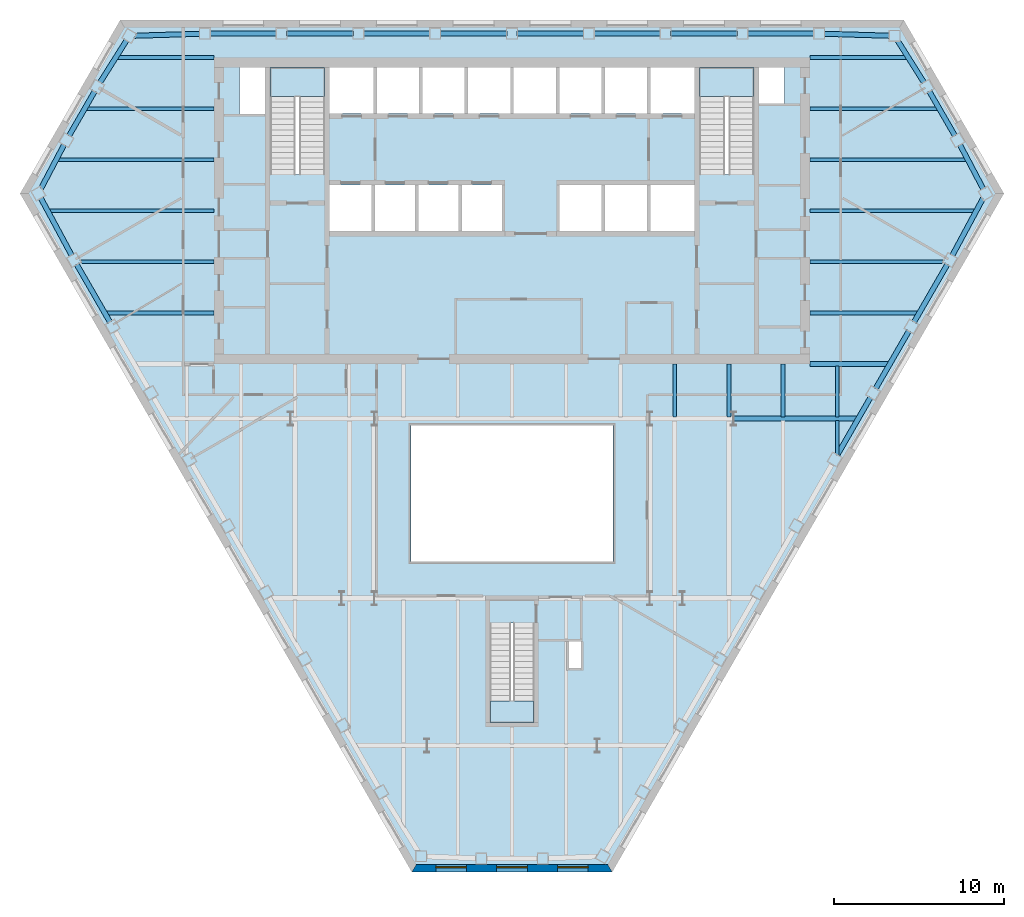
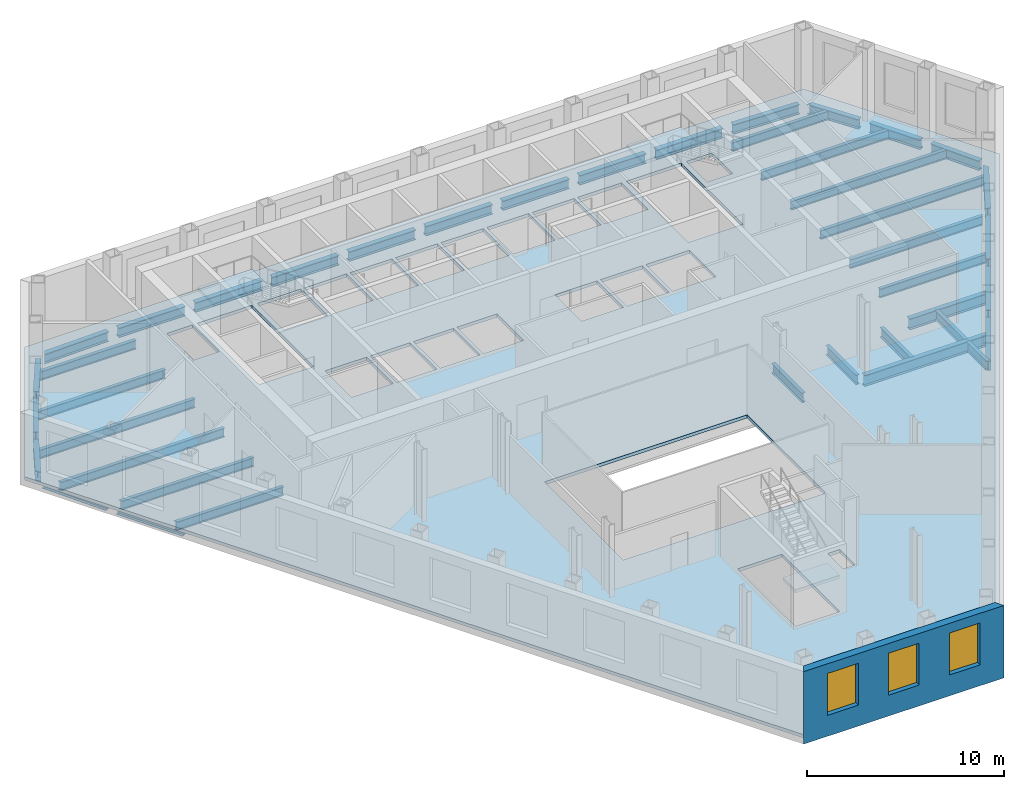
# One storey, part 3 of 11: 41 beams, 4 slabs, 3 windows, 1 wall, 3 openings, 3 elements without a shape of their own.
"""IFC4 building model written with IfcOpenShell, lengths in metres."""

from ifc_helpers import new_model, si_unit, direction, frame, frame_2d, origin, origin_2d, place, context, subcontext, project, spatial, polyline, rectangle, i_section, outline, extrude, clip, halfspace, material, layer, layer_set, material_profile, profile_set, type_object, element, fill, aggregate, save


model = new_model("IFC4")

# Units and contexts
model_context = context("Model", 3, precision=1e-05, world=origin(), true_north=direction((0.0, 1.0)))
body_context = subcontext(model_context, "Body", "Model", "MODEL_VIEW")
ifc_project = project(units=[si_unit("LENGTHUNIT", "METRE"), si_unit("AREAUNIT", "SQUARE_METRE"), si_unit("VOLUMEUNIT", "CUBIC_METRE"), si_unit("PLANEANGLEUNIT", "RADIAN"), si_unit("MASSUNIT", "GRAM", prefix="KILO")], contexts=[model_context])

# Site, building, storey
site_placement = place(None, origin())
site = spatial("IfcSite", under=ifc_project, at=site_placement, CompositionType="ELEMENT")
building_placement = place(site_placement, origin())
building = spatial("IfcBuilding", under=site, at=building_placement, Name="Njiva Tower", CompositionType="ELEMENT")
storey_placement = place(building_placement, frame((0.0, 0.0, 37.8)))
storey = spatial("IfcBuildingStorey", under=building, at=storey_placement, Name="L07", CompositionType="ELEMENT", Elevation=37.8)

# Beams
ifc_material_1 = material(Name="Steel S355 J2", Category="steel")
ifc_material_profile_1 = material_profile(ifc_material_1, i_section(OverallWidth=0.21, OverallDepth=0.55, WebThickness=0.0111, FlangeThickness=0.0172, at=origin_2d()), Name="IPE 550")
ifc_profile_set_1 = profile_set([ifc_material_profile_1], Name="Steel S355 J2")
beam_type_1 = type_object("IfcBeamType", Name="B10 Floor beam to the core IPE 550", PredefinedType="BEAM", material=ifc_profile_set_1)
beam_1_placement = place(storey_placement, frame((-23.876, 3.0, -0.475), z_axis=(1.0, 0.0, 0.0), x_axis=(0.0, 1.0, 0.0)))
element("IfcBeam", 1, at=beam_1_placement, inside=storey, type_object=beam_type_1, Name="Floor beam to the core S02-B006", PredefinedType="BEAM", context=body_context, shape_type="Clipping", body=[
    clip(extrude(i_section(OverallWidth=0.21, OverallDepth=0.55, WebThickness=0.0111, FlangeThickness=0.0172, at=origin_2d()), origin(), (0.0, 0.0, 1.0), 6.376), halfspace(frame((-0.025, 0.0, 0.0951), z_axis=(-0.499998009787, 0.0, -0.866026552831), x_axis=(0.0, -1.0, 0.0)), False)),
])
beam_2_placement = place(storey_placement, frame((17.5, 3.0, -0.475), z_axis=(1.0, 0.0, 0.0), x_axis=(0.0, 1.0, 0.0)))
element("IfcBeam", 2, at=beam_2_placement, inside=storey, type_object=beam_type_1, Name="Floor beam to the core S02-B008", PredefinedType="BEAM", context=body_context, shape_type="Clipping", body=[
    clip(extrude(i_section(OverallWidth=0.21, OverallDepth=0.55, WebThickness=0.0111, FlangeThickness=0.0172, at=origin_2d()), origin(), (0.0, 0.0, 1.0), 6.376), halfspace(frame((-0.025, 0.0, 6.2809), z_axis=(-0.499998009787, 0.0, 0.866026552831), x_axis=(0.0, 1.0, 0.0)), False)),
])
beam_3_placement = place(storey_placement, frame((-25.378, 6.0, -0.475), z_axis=(1.0, 0.0, 0.0), x_axis=(0.0, 1.0, 0.0)))
element("IfcBeam", 3, at=beam_3_placement, inside=storey, type_object=beam_type_1, Name="Floor beam to the core S02-B004", PredefinedType="BEAM", context=body_context, shape_type="Clipping", body=[
    clip(extrude(i_section(OverallWidth=0.21, OverallDepth=0.55, WebThickness=0.0111, FlangeThickness=0.0172, at=origin_2d()), origin(), (0.0, 0.0, 1.0), 7.878), halfspace(frame((-0.025, 0.0, 0.0959), z_axis=(-0.499998009787, 0.0, -0.866026552831), x_axis=(0.0, -1.0, 0.0)), False)),
])
beam_4_placement = place(storey_placement, frame((17.5, 6.0, -0.475), z_axis=(1.0, 0.0, 0.0), x_axis=(0.0, 1.0, 0.0)))
element("IfcBeam", 4, at=beam_4_placement, inside=storey, type_object=beam_type_1, Name="Floor beam to the core S02-B009", PredefinedType="BEAM", context=body_context, shape_type="Clipping", body=[
    clip(extrude(i_section(OverallWidth=0.21, OverallDepth=0.55, WebThickness=0.0111, FlangeThickness=0.0172, at=origin_2d()), origin(), (0.0, 0.0, 1.0), 7.878), halfspace(frame((-0.025, 0.0, 7.7821), z_axis=(-0.499998009787, 0.0, 0.866026552831), x_axis=(0.0, 1.0, 0.0)), False)),
])
beam_5_placement = place(storey_placement, frame((-26.721, 12.0, -0.475), z_axis=(1.0, 0.0, 0.0), x_axis=(0.0, 1.0, 0.0)))
element("IfcBeam", 5, at=beam_5_placement, inside=storey, type_object=beam_type_1, Name="Floor beam to the core S02-B002", PredefinedType="BEAM", context=body_context, shape_type="Clipping", body=[
    clip(extrude(i_section(OverallWidth=0.21, OverallDepth=0.55, WebThickness=0.0111, FlangeThickness=0.0172, at=origin_2d()), origin(), (0.0, 0.0, 1.0), 9.221), halfspace(frame((0.0234, 0.0, 0.0871), z_axis=(0.467062323174, 0.0, -0.884224398143), x_axis=(0.0, -1.0, 0.0)), False)),
])
beam_6_placement = place(storey_placement, frame((17.5, 12.0, -0.475), z_axis=(1.0, 0.0, 0.0), x_axis=(0.0, 1.0, 0.0)))
element("IfcBeam", 6, at=beam_6_placement, inside=storey, type_object=beam_type_1, Name="Floor beam to the core S02-B012", PredefinedType="BEAM", context=body_context, shape_type="Clipping", body=[
    clip(extrude(i_section(OverallWidth=0.21, OverallDepth=0.55, WebThickness=0.0111, FlangeThickness=0.0172, at=origin_2d()), origin(), (0.0, 0.0, 1.0), 9.221), halfspace(frame((0.0234, 0.0, 9.1339), z_axis=(0.467062323174, 0.0, 0.884224398143), x_axis=(0.0, 1.0, 0.0)), False)),
])
beam_7_placement = place(storey_placement, frame((-25.049, 15.0, -0.475), z_axis=(1.0, 0.0, 0.0), x_axis=(0.0, 1.0, 0.0)))
element("IfcBeam", 7, at=beam_7_placement, inside=storey, type_object=beam_type_1, Name="Floor beam to the core S02-B005", PredefinedType="BEAM", context=body_context, shape_type="Clipping", body=[
    clip(extrude(i_section(OverallWidth=0.21, OverallDepth=0.55, WebThickness=0.0111, FlangeThickness=0.0172, at=origin_2d()), origin(), (0.0, 0.0, 1.0), 7.549), halfspace(frame((0.025, 0.0, 0.0954), z_axis=(0.499998009787, 0.0, -0.866026552831), x_axis=(0.0, -1.0, 0.0)), False)),
])
beam_8_placement = place(storey_placement, frame((17.5, 15.0, -0.475), z_axis=(1.0, 0.0, 0.0), x_axis=(0.0, 1.0, 0.0)))
element("IfcBeam", 8, at=beam_8_placement, inside=storey, type_object=beam_type_1, Name="Floor beam to the core S02-B013", PredefinedType="BEAM", context=body_context, shape_type="Clipping", body=[
    clip(extrude(i_section(OverallWidth=0.21, OverallDepth=0.55, WebThickness=0.0111, FlangeThickness=0.0172, at=origin_2d()), origin(), (0.0, 0.0, 1.0), 7.549), halfspace(frame((0.025, 0.0, 7.4536), z_axis=(0.499998009787, 0.0, 0.866026552831), x_axis=(0.0, 1.0, 0.0)), False)),
])
beam_9_placement = place(storey_placement, frame((-23.231, 18.0, -0.475), z_axis=(1.0, 0.0, 0.0), x_axis=(0.0, 1.0, 0.0)))
element("IfcBeam", 9, at=beam_9_placement, inside=storey, type_object=beam_type_1, Name="Floor beam to the core S02-B007", PredefinedType="BEAM", context=body_context, shape_type="Clipping", body=[
    clip(extrude(i_section(OverallWidth=0.21, OverallDepth=0.55, WebThickness=0.0111, FlangeThickness=0.0172, at=origin_2d()), origin(), (0.0, 0.0, 1.0), 5.731), halfspace(frame((0.0266, 0.0, 0.1031), z_axis=(0.53222991141, 0.0, -0.846599859083), x_axis=(0.0, -1.0, 0.0)), False)),
])
beam_10_placement = place(storey_placement, frame((17.5, 18.0, -0.475), z_axis=(1.0, 0.0, 0.0), x_axis=(0.0, 1.0, 0.0)))
element("IfcBeam", 10, at=beam_10_placement, inside=storey, type_object=beam_type_1, Name="Floor beam to the core S02-B014", PredefinedType="BEAM", context=body_context, shape_type="Clipping", body=[
    clip(extrude(i_section(OverallWidth=0.21, OverallDepth=0.55, WebThickness=0.0111, FlangeThickness=0.0172, at=origin_2d()), origin(), (0.0, 0.0, 1.0), 5.731), halfspace(frame((0.0266, 0.0, 5.6279), z_axis=(0.53222991141, 0.0, 0.846599859083), x_axis=(0.0, 1.0, 0.0)), False)),
])
ifc_material_profile_2 = material_profile(ifc_material_1, i_section(OverallWidth=0.21, OverallDepth=0.55, WebThickness=0.0111, FlangeThickness=0.0172, at=origin_2d()), Name="IPE 550")
ifc_profile_set_2 = profile_set([ifc_material_profile_2], Name="Steel S355 J2")
beam_type_2 = type_object("IfcBeamType", Name="B11 Long-span floor beam to the core IPE 550", PredefinedType="BEAM", material=ifc_profile_set_2)
beam_11_placement = place(storey_placement, frame((-27.224, 9.0, -0.475), z_axis=(1.0, 0.0, 0.0), x_axis=(0.0, 1.0, 0.0)))
element("IfcBeam", 11, at=beam_11_placement, inside=storey, type_object=beam_type_2, Name="Long-span floor beam to the core S02-B001", PredefinedType="BEAM", context=body_context, shape_type="Clipping", body=[
    clip(extrude(i_section(OverallWidth=0.21, OverallDepth=0.55, WebThickness=0.0111, FlangeThickness=0.0172, at=origin_2d()), origin(), (0.0, 0.0, 1.0), 9.724), halfspace(frame((-0.0237, 0.0, 0.0891), z_axis=(-0.473777178452, 0.0, -0.88064475538), x_axis=(0.0, -1.0, 0.0)), False)),
])
beam_12_placement = place(storey_placement, frame((17.5, 9.0, -0.475), z_axis=(1.0, 0.0, 0.0), x_axis=(0.0, 1.0, 0.0)))
element("IfcBeam", 12, at=beam_12_placement, inside=storey, type_object=beam_type_2, Name="Long-span floor beam to the core S02-B011", PredefinedType="BEAM", context=body_context, shape_type="Clipping", body=[
    clip(extrude(i_section(OverallWidth=0.21, OverallDepth=0.55, WebThickness=0.0111, FlangeThickness=0.0172, at=origin_2d()), origin(), (0.0, 0.0, 1.0), 9.724), halfspace(frame((-0.0237, 0.0, 9.6349), z_axis=(-0.473777178452, 0.0, 0.88064475538), x_axis=(0.0, 1.0, 0.0)), False)),
])
ifc_material_profile_3 = material_profile(ifc_material_1, i_section(OverallWidth=0.22, OverallDepth=0.6, WebThickness=0.012, FlangeThickness=0.019, at=origin_2d()), Name="IPE 600")
ifc_profile_set_3 = profile_set([ifc_material_profile_3], Name="Steel S355 J2")
beam_type_3 = type_object("IfcBeamType", Name="B14 Short-span floor joist IPE 600", PredefinedType="JOIST", material=ifc_profile_set_3)
for number, where, z_axis, x_axis, name in (
    (13, (9.55, -0.005, -0.5), (0.0, -1.0, 0.0), (1.0, 0.0, 0.0), "Short-span floor joist S02-B090"),
    (14, (12.733, -0.005, -0.5), (0.0, -1.0, 0.0), (1.0, 0.0, 0.0), "Short-span floor joist S02-B093"),
    (15, (15.917, -0.005, -0.5), (0.0, -1.0, 0.0), (1.0, 0.0, 0.0), "Short-span floor joist S02-B095"),
):
    element("IfcBeam", number, at=place(storey_placement, frame(where, z_axis=z_axis, x_axis=x_axis)), inside=storey, type_object=beam_type_3, Name=name, PredefinedType="JOIST", context=body_context, shape_type="SweptSolid", body=[
        extrude(i_section(OverallWidth=0.22, OverallDepth=0.6, WebThickness=0.012, FlangeThickness=0.019, at=origin_2d()), origin(), (0.0, 0.0, 1.0), 3.095),
    ])
beam_13_placement = place(storey_placement, frame((19.1, -0.1, -0.5), z_axis=(0.0, -1.0, 0.0), x_axis=(1.0, 0.0, 0.0)))
element("IfcBeam", 16, at=beam_13_placement, inside=storey, type_object=beam_type_3, Name="Short-span floor joist S02-B098", PredefinedType="JOIST", context=body_context, shape_type="SweptSolid", body=[
    extrude(i_section(OverallWidth=0.22, OverallDepth=0.6, WebThickness=0.012, FlangeThickness=0.019, at=origin_2d()), origin(), (0.0, 0.0, 1.0), 3.0),
])
beam_14_placement = place(storey_placement, frame((19.1, -3.3, -0.5), z_axis=(0.0, -1.0, 0.0), x_axis=(1.0, 0.0, 0.0)))
element("IfcBeam", 17, at=beam_14_placement, inside=storey, type_object=beam_type_3, Name="Short-span floor joist S02-B096", PredefinedType="JOIST", context=body_context, shape_type="Clipping", body=[
    clip(extrude(i_section(OverallWidth=0.22, OverallDepth=0.6, WebThickness=0.012, FlangeThickness=0.019, at=origin_2d()), origin(), (0.0, 0.0, 1.0), 2.131), halfspace(frame((-0.025, 0.0, 2.0322), z_axis=(-0.499998009787, 0.0, 0.866026552831), x_axis=(0.0, 1.0, 0.0)), False)),
])
ifc_material_profile_4 = material_profile(ifc_material_1, i_section(OverallWidth=0.3, OverallDepth=0.69, WebThickness=0.0145, FlangeThickness=0.027, at=origin_2d()), Name="HEA 700")
ifc_profile_set_4 = profile_set([ifc_material_profile_4], Name="Steel S355 J2")
beam_type_4 = type_object("IfcBeamType", Name="B15 Floor girder HEA 700", PredefinedType="BEAM", material=ifc_profile_set_4)
beam_15_placement = place(storey_placement, frame((13.0, -3.2, -0.545), z_axis=(1.0, 0.0, 0.0), x_axis=(0.0, 1.0, 0.0)))
element("IfcBeam", 18, at=beam_15_placement, inside=storey, type_object=beam_type_4, Name="Floor girder S02-B028", PredefinedType="BEAM", context=body_context, shape_type="Clipping", body=[
    clip(extrude(i_section(OverallWidth=0.3, OverallDepth=0.69, WebThickness=0.0145, FlangeThickness=0.027, at=origin_2d()), origin(), (0.0, 0.0, 1.0), 7.323), halfspace(frame((-0.025, 0.0, 7.2013), z_axis=(-0.499998009787, 0.0, 0.866026552831), x_axis=(0.0, 1.0, 0.0)), False)),
])
beam_16_placement = place(storey_placement, frame((17.5, 0.0, -0.545), z_axis=(1.0, 0.0, 0.0), x_axis=(0.0, 1.0, 0.0)))
element("IfcBeam", 19, at=beam_16_placement, inside=storey, type_object=beam_type_4, Name="Floor girder S02-B029", PredefinedType="BEAM", context=body_context, shape_type="Clipping", body=[
    clip(extrude(i_section(OverallWidth=0.3, OverallDepth=0.69, WebThickness=0.0145, FlangeThickness=0.027, at=origin_2d()), origin(), (0.0, 0.0, 1.0), 4.67), halfspace(frame((-0.025, 0.0, 4.5489), z_axis=(-0.499998009787, 0.0, 0.866026552831), x_axis=(0.0, 1.0, 0.0)), False)),
])
ifc_material_profile_5 = material_profile(ifc_material_1, i_section(OverallWidth=0.3, OverallDepth=0.6, WebThickness=0.0155, FlangeThickness=0.03, at=origin_2d()), Name="HEB 600")
ifc_profile_set_5 = profile_set([ifc_material_profile_5], Name="Steel S355 J2")
beam_type_5 = type_object("IfcBeamType", Name="B3 Short-span spandrel beam HEB 600", PredefinedType="SPANDREL", material=ifc_profile_set_5)
beam_17_placement = place(storey_placement, frame((22.162, 19.276, -0.5), z_axis=(-0.999548107162, 0.030059631884, 0.0), x_axis=(-0.030059631884, -0.999548107162, 0.0)))
element("IfcBeam", 20, at=beam_17_placement, inside=storey, type_object=beam_type_5, Name="Short-span spandrel beam S02-B164", PredefinedType="SPANDREL", context=body_context, shape_type="SweptSolid", body=[
    extrude(i_section(OverallWidth=0.3, OverallDepth=0.6, WebThickness=0.0155, FlangeThickness=0.03, at=origin_2d()), origin(), (0.0, 0.0, 1.0), 3.8257),
])
beam_18_placement = place(storey_placement, frame((17.734, 19.4, -0.5), z_axis=(-1.0, 0.0, 0.0), x_axis=(0.0, -1.0, 0.0)))
element("IfcBeam", 21, at=beam_18_placement, inside=storey, type_object=beam_type_5, Name="Short-span spandrel beam S02-B158", PredefinedType="SPANDREL", context=body_context, shape_type="SweptSolid", body=[
    extrude(i_section(OverallWidth=0.3, OverallDepth=0.6, WebThickness=0.0155, FlangeThickness=0.03, at=origin_2d()), origin(), (0.0, 0.0, 1.0), 3.908),
])
beam_19_placement = place(storey_placement, frame((13.226, 19.4, -0.5), z_axis=(-1.0, 0.0, 0.0), x_axis=(0.0, -1.0, 0.0)))
element("IfcBeam", 22, at=beam_19_placement, inside=storey, type_object=beam_type_5, Name="Short-span spandrel beam S02-B152", PredefinedType="SPANDREL", context=body_context, shape_type="SweptSolid", body=[
    extrude(i_section(OverallWidth=0.3, OverallDepth=0.6, WebThickness=0.0155, FlangeThickness=0.03, at=origin_2d()), origin(), (0.0, 0.0, 1.0), 3.909),
])
beam_20_placement = place(storey_placement, frame((8.717, 19.4, -0.5), z_axis=(-1.0, 0.0, 0.0), x_axis=(0.0, -1.0, 0.0)))
element("IfcBeam", 23, at=beam_20_placement, inside=storey, type_object=beam_type_5, Name="Short-span spandrel beam S02-B146", PredefinedType="SPANDREL", context=body_context, shape_type="SweptSolid", body=[
    extrude(i_section(OverallWidth=0.3, OverallDepth=0.6, WebThickness=0.0155, FlangeThickness=0.03, at=origin_2d()), origin(), (0.0, 0.0, 1.0), 3.908),
])
for number, where, z_axis, x_axis, name in (
    (24, (4.209, 19.4, -0.5), (-1.0, 0.0, 0.0), (0.0, -1.0, 0.0), "Short-span spandrel beam S02-B143"),
    (25, (-0.3, 19.4, -0.5), (-1.0, 0.0, 0.0), (0.0, -1.0, 0.0), "Short-span spandrel beam S02-B140"),
):
    element("IfcBeam", number, at=place(storey_placement, frame(where, z_axis=z_axis, x_axis=x_axis)), inside=storey, type_object=beam_type_5, Name=name, PredefinedType="SPANDREL", context=body_context, shape_type="SweptSolid", body=[
        extrude(i_section(OverallWidth=0.3, OverallDepth=0.6, WebThickness=0.0155, FlangeThickness=0.03, at=origin_2d()), origin(), (0.0, 0.0, 1.0), 3.909),
    ])
beam_21_placement = place(storey_placement, frame((-4.809, 19.4, -0.5), z_axis=(-1.0, 0.0, 0.0), x_axis=(0.0, -1.0, 0.0)))
element("IfcBeam", 26, at=beam_21_placement, inside=storey, type_object=beam_type_5, Name="Short-span spandrel beam S02-B135", PredefinedType="SPANDREL", context=body_context, shape_type="SweptSolid", body=[
    extrude(i_section(OverallWidth=0.3, OverallDepth=0.6, WebThickness=0.0155, FlangeThickness=0.03, at=origin_2d()), origin(), (0.0, 0.0, 1.0), 3.908),
])
beam_22_placement = place(storey_placement, frame((-9.317, 19.4, -0.5), z_axis=(-1.0, 0.0, 0.0), x_axis=(0.0, -1.0, 0.0)))
element("IfcBeam", 27, at=beam_22_placement, inside=storey, type_object=beam_type_5, Name="Short-span spandrel beam S02-B129", PredefinedType="SPANDREL", context=body_context, shape_type="SweptSolid", body=[
    extrude(i_section(OverallWidth=0.3, OverallDepth=0.6, WebThickness=0.0155, FlangeThickness=0.03, at=origin_2d()), origin(), (0.0, 0.0, 1.0), 3.909),
])
beam_23_placement = place(storey_placement, frame((-13.826, 19.4, -0.5), z_axis=(-1.0, 0.0, 0.0), x_axis=(0.0, -1.0, 0.0)))
element("IfcBeam", 28, at=beam_23_placement, inside=storey, type_object=beam_type_5, Name="Short-span spandrel beam S02-B123", PredefinedType="SPANDREL", context=body_context, shape_type="SweptSolid", body=[
    extrude(i_section(OverallWidth=0.3, OverallDepth=0.6, WebThickness=0.0155, FlangeThickness=0.03, at=origin_2d()), origin(), (0.0, 0.0, 1.0), 3.908),
])
beam_24_placement = place(storey_placement, frame((-18.338, 19.391, -0.5), z_axis=(-0.999544572792, -0.03017692831, 0.0), x_axis=(0.03017692831, -0.999544572792, 0.0)))
element("IfcBeam", 29, at=beam_24_placement, inside=storey, type_object=beam_type_5, Name="Short-span spandrel beam S02-B117", PredefinedType="SPANDREL", context=body_context, shape_type="Clipping", body=[
    clip(extrude(i_section(OverallWidth=0.3, OverallDepth=0.6, WebThickness=0.0155, FlangeThickness=0.03, at=origin_2d()), origin(), (0.0, 0.0, 1.0), 3.8907), halfspace(frame((-0.0268, 0.0, 3.761), z_axis=(-0.525904318289, 0.0, 0.85054373668), x_axis=(0.0, 1.0, 0.0)), False)),
])
beam_25_placement = place(storey_placement, frame((-22.628, 19.009, -0.5), z_axis=(-0.532360352566, -0.846517840932, 0.0), x_axis=(0.846517840932, -0.532360352566, 0.0)))
element("IfcBeam", 30, at=beam_25_placement, inside=storey, type_object=beam_type_5, Name="Short-span spandrel beam S02-B114", PredefinedType="SPANDREL", context=body_context, shape_type="SweptSolid", body=[
    extrude(i_section(OverallWidth=0.3, OverallDepth=0.6, WebThickness=0.0155, FlangeThickness=0.03, at=origin_2d()), origin(), (0.0, 0.0, 1.0), 2.9285),
])
beam_26_placement = place(storey_placement, frame((-24.499, 16.012, -0.5), z_axis=(-0.50006736263, -0.865986508459, 0.0), x_axis=(0.865986508459, -0.50006736263, 0.0)))
element("IfcBeam", 31, at=beam_26_placement, inside=storey, type_object=beam_type_5, Name="Short-span spandrel beam S02-B110", PredefinedType="SPANDREL", context=body_context, shape_type="SweptSolid", body=[
    extrude(i_section(OverallWidth=0.3, OverallDepth=0.6, WebThickness=0.0155, FlangeThickness=0.03, at=origin_2d()), origin(), (0.0, 0.0, 1.0), 3.0116),
])
beam_27_placement = place(storey_placement, frame((-26.298, 12.874, -0.5), z_axis=(-0.466977519843, -0.8842691875, 0.0), x_axis=(0.8842691875, -0.466977519843, 0.0)))
element("IfcBeam", 32, at=beam_27_placement, inside=storey, type_object=beam_type_5, Name="Short-span spandrel beam S02-B107", PredefinedType="SPANDREL", context=body_context, shape_type="Clipping", body=[
    clip(extrude(i_section(OverallWidth=0.3, OverallDepth=0.6, WebThickness=0.0155, FlangeThickness=0.03, at=origin_2d()), origin(), (0.0, 0.0, 1.0), 2.9921), halfspace(frame((-0.0265, 0.0, 2.8617), z_axis=(-0.532312765689, 0.0, 0.846547765625), x_axis=(0.0, 1.0, 0.0)), False)),
])
beam_28_placement = place(storey_placement, frame((-27.664, 9.748, -0.5), z_axis=(0.473881592304, -0.880588573896, 0.0), x_axis=(0.880588573896, 0.473881592304, 0.0)))
element("IfcBeam", 33, at=beam_28_placement, inside=storey, type_object=beam_type_5, Name="Short-span spandrel beam S02-B106", PredefinedType="SPANDREL", context=body_context, shape_type="SweptSolid", body=[
    extrude(i_section(OverallWidth=0.3, OverallDepth=0.6, WebThickness=0.0155, FlangeThickness=0.03, at=origin_2d()), origin(), (0.0, 0.0, 1.0), 3.8259),
])
for number, where, z_axis, x_axis, name in (
    (34, (-25.557, 5.851, -0.5), (0.499936548189, -0.866062034606, 0.0), (0.866062034606, 0.499936548189, 0.0), "Short-span spandrel beam S02-B111"),
    (35, (19.094, -5.343, -0.5), (0.499936548189, 0.866062034606, 0.0), (-0.866062034606, 0.499936548189, 0.0), "Short-span spandrel beam S02-B166"),
):
    element("IfcBeam", number, at=place(storey_placement, frame(where, z_axis=z_axis, x_axis=x_axis)), inside=storey, type_object=beam_type_5, Name=name, PredefinedType="SPANDREL", context=body_context, shape_type="SweptSolid", body=[
        extrude(i_section(OverallWidth=0.3, OverallDepth=0.6, WebThickness=0.0155, FlangeThickness=0.03, at=origin_2d()), origin(), (0.0, 0.0, 1.0), 3.9085),
    ])
beam_29_placement = place(storey_placement, frame((21.348, -1.438, -0.5), z_axis=(0.500239230067, 0.865887240177, 0.0), x_axis=(-0.865887240177, 0.500239230067, 0.0)))
element("IfcBeam", 36, at=beam_29_placement, inside=storey, type_object=beam_type_5, Name="Short-span spandrel beam S02-B168", PredefinedType="SPANDREL", context=body_context, shape_type="SweptSolid", body=[
    extrude(i_section(OverallWidth=0.3, OverallDepth=0.6, WebThickness=0.0155, FlangeThickness=0.03, at=origin_2d()), origin(), (0.0, 0.0, 1.0), 3.9081),
])
beam_30_placement = place(storey_placement, frame((23.603, 2.466, -0.5), z_axis=(0.499936548189, 0.866062034606, 0.0), x_axis=(-0.866062034606, 0.499936548189, 0.0)))
element("IfcBeam", 37, at=beam_30_placement, inside=storey, type_object=beam_type_5, Name="Short-span spandrel beam S02-B172", PredefinedType="SPANDREL", context=body_context, shape_type="SweptSolid", body=[
    extrude(i_section(OverallWidth=0.3, OverallDepth=0.6, WebThickness=0.0155, FlangeThickness=0.03, at=origin_2d()), origin(), (0.0, 0.0, 1.0), 3.9085),
])
beam_31_placement = place(storey_placement, frame((25.851, 6.379, -0.5), z_axis=(0.473799891444, 0.880632535662, 0.0), x_axis=(-0.880632535662, 0.473799891444, 0.0)))
element("IfcBeam", 38, at=beam_31_placement, inside=storey, type_object=beam_type_5, Name="Short-span spandrel beam S02-B176", PredefinedType="SPANDREL", context=body_context, shape_type="Clipping", body=[
    clip(extrude(i_section(OverallWidth=0.3, OverallDepth=0.6, WebThickness=0.0155, FlangeThickness=0.03, at=origin_2d()), origin(), (0.0, 0.0, 1.0), 3.891), halfspace(frame((-0.0263, 0.0, 3.7612), z_axis=(-0.525752156411, 0.0, 0.850637801904), x_axis=(0.0, 1.0, 0.0)), False)),
])
beam_32_placement = place(storey_placement, frame((27.665, 10.285, -0.5), z_axis=(-0.466914448417, 0.884302492284, 0.0), x_axis=(-0.884302492284, -0.466914448417, 0.0)))
element("IfcBeam", 39, at=beam_32_placement, inside=storey, type_object=beam_type_5, Name="Short-span spandrel beam S02-B177", PredefinedType="SPANDREL", context=body_context, shape_type="SweptSolid", body=[
    extrude(i_section(OverallWidth=0.3, OverallDepth=0.6, WebThickness=0.0155, FlangeThickness=0.03, at=origin_2d()), origin(), (0.0, 0.0, 1.0), 2.9277),
])
beam_33_placement = place(storey_placement, frame((26.005, 13.404, -0.5), z_axis=(-0.50006736263, 0.865986508459, 0.0), x_axis=(-0.865986508459, -0.50006736263, 0.0)))
element("IfcBeam", 40, at=beam_33_placement, inside=storey, type_object=beam_type_5, Name="Short-span spandrel beam S02-B173", PredefinedType="SPANDREL", context=body_context, shape_type="SweptSolid", body=[
    extrude(i_section(OverallWidth=0.3, OverallDepth=0.6, WebThickness=0.0155, FlangeThickness=0.03, at=origin_2d()), origin(), (0.0, 0.0, 1.0), 3.0116),
])
beam_34_placement = place(storey_placement, frame((24.187, 16.53, -0.5), z_axis=(-0.532214232458, 0.846609715731, 0.0), x_axis=(-0.846609715731, -0.532214232458, 0.0)))
element("IfcBeam", 41, at=beam_34_placement, inside=storey, type_object=beam_type_5, Name="Short-span spandrel beam S02-B169", PredefinedType="SPANDREL", context=body_context, shape_type="Clipping", body=[
    clip(extrude(i_section(OverallWidth=0.3, OverallDepth=0.6, WebThickness=0.0155, FlangeThickness=0.03, at=origin_2d()), origin(), (0.0, 0.0, 1.0), 2.9925), halfspace(frame((-0.0264, 0.0, 2.8619), z_axis=(-0.532214232458, 0.0, 0.846609715731), x_axis=(0.0, 1.0, 0.0)), False)),
])

# Stair, slab
ifc_material_2 = material(Name="Concrete C40/50", Category="concrete")
stair_type_1 = type_object("IfcStairType", Name="ST4 Exit stair 1500", PredefinedType="HALF_TURN_STAIR", material=ifc_material_2)
stair_1_placement = place(storey_placement, origin())
stair_1 = element("IfcStair", 42, at=stair_1_placement, inside=storey, type_object=stair_type_1, Name="Stair A", PredefinedType="HALF_TURN_STAIR")
ifc_layer_1 = layer(ifc_material_2, 0.2)
ifc_layer_set_1 = layer_set([ifc_layer_1], Name="Concrete C40/50")
slab_type_1 = type_object("IfcSlabType", Name="FL9 Stair landing 200", PredefinedType="LANDING", material=ifc_layer_set_1)
slab_1_placement = place(storey_placement, frame((0.0, 0.0, 2.05)))
slab_1 = element("IfcSlab", 43, at=slab_1_placement, type_object=slab_type_1, Name="ST-A landing 1", PredefinedType="LANDING", context=body_context, shape_type="SweptSolid", body=[
    extrude(outline(polyline([(-14.206, 15.72), (-10.994, 15.72), (-10.994, 17.4), (-14.206, 17.4), (-14.206, 15.72)])), origin(), (0.0, 0.0, 1.0), 0.2),
])
aggregate(stair_1, [slab_1])

stair_2_placement = place(storey_placement, origin())
stair_2 = element("IfcStair", 44, at=stair_2_placement, inside=storey, type_object=stair_type_1, Name="Stair B", PredefinedType="HALF_TURN_STAIR")
slab_2_placement = place(storey_placement, frame((0.0, 0.0, 2.05)))
slab_2 = element("IfcSlab", 45, at=slab_2_placement, type_object=slab_type_1, Name="ST-B landing 1", PredefinedType="LANDING", context=body_context, shape_type="SweptSolid", body=[
    extrude(outline(polyline([(10.994, 15.72), (14.206, 15.72), (14.206, 17.4), (10.994, 17.4), (10.994, 15.72)])), origin(), (0.0, 0.0, 1.0), 0.2),
])
aggregate(stair_2, [slab_2])

stair_type_2 = type_object("IfcStairType", Name="ST1 Exit stair 1250", PredefinedType="HALF_TURN_STAIR", material=ifc_material_2)
stair_3_placement = place(storey_placement, origin())
stair_3 = element("IfcStair", 46, at=stair_3_placement, inside=storey, type_object=stair_type_2, Name="Stair C", PredefinedType="HALF_TURN_STAIR")
slab_3_placement = place(storey_placement, frame((0.0, 0.0, 2.05)))
slab_3 = element("IfcSlab", 47, at=slab_3_placement, type_object=slab_type_1, Name="ST-C landing 1", PredefinedType="LANDING", context=body_context, shape_type="SweptSolid", body=[
    extrude(outline(polyline([(-1.306, -21.05), (1.306, -21.05), (1.306, -19.78), (-1.306, -19.78), (-1.306, -21.05)])), origin(), (0.0, 0.0, 1.0), 0.2),
])
aggregate(stair_3, [slab_3])

# Slab
ifc_material_3 = material(Name="Concrete C30/37", Category="concrete")
ifc_layer_2 = layer(ifc_material_3, 0.2)
ifc_layer_set_2 = layer_set([ifc_layer_2], Name="Concrete C30/37")
slab_type_2 = type_object("IfcSlabType", Name="SL16 Composite floor slab 200", PredefinedType="FLOOR", material=ifc_layer_set_2)
slab_4_placement = place(storey_placement, frame((0.0, 0.0, -0.2)))
element("IfcSlab", 48, at=slab_4_placement, inside=storey, type_object=slab_type_2, Name="Floor slab L07", PredefinedType="FLOOR", context=body_context, shape_type="SweptSolid", body=[
    extrude(outline(polyline([(28.6252, 10.0155), (5.7501, -29.6053), (-5.7501, -29.6053), (-28.6252, 10.0155), (-22.8751, 19.975), (22.8751, 19.975), (28.6252, 10.0155)]), holes=[polyline([(14.5, 17.4), (14.5, 15.2885), (16.0, 15.2885), (16.0, 17.4), (14.5, 17.4)]), polyline([(10.994, 11.13), (14.206, 11.13), (14.206, 17.4), (10.994, 17.4), (10.994, 11.13)]), polyline([(8.125, 17.4), (8.125, 14.7), (10.7, 14.7), (10.7, 17.4), (8.125, 17.4)]), polyline([(8.1333, 10.5), (8.1333, 7.8), (10.7, 7.8), (10.7, 10.5), (8.1333, 10.5)]), polyline([(5.4667, 10.5), (5.4667, 7.8), (7.9333, 7.8), (7.9333, 10.5), (5.4667, 10.5)]), polyline([(5.45, 14.7), (7.925, 14.7), (7.925, 17.4), (5.45, 17.4), (5.45, 14.7)]), polyline([(5.94, -11.6), (5.94, -3.6), (-5.94, -3.6), (-5.94, -11.6), (5.94, -11.6)]), polyline([(2.8, 7.8), (5.2667, 7.8), (5.2667, 10.5), (2.8, 10.5), (2.8, 7.8)]), polyline([(2.775, 17.4), (2.775, 14.7), (5.25, 14.7), (5.25, 17.4), (2.775, 17.4)]), polyline([(3.35, -17.85), (4.05, -17.85), (4.05, -16.3), (3.35, -16.3), (3.35, -17.85)]), polyline([(0.1, 17.4), (0.1, 14.7), (2.575, 14.7), (2.575, 17.4), (0.1, 17.4)]), polyline([(-1.306, -21.05), (1.306, -21.05), (1.306, -15.19), (-1.306, -15.19), (-1.306, -21.05)]), polyline([(-2.575, 17.4), (-2.575, 14.7), (-0.1, 14.7), (-0.1, 17.4), (-2.575, 17.4)]), polyline([(-2.95, 10.5), (-2.95, 7.8), (-0.6, 7.8), (-0.6, 10.5), (-2.95, 10.5)]), polyline([(-5.25, 17.4), (-5.25, 14.7), (-2.775, 14.7), (-2.775, 17.4), (-5.25, 17.4)]), polyline([(-5.5, 10.5), (-5.5, 7.8), (-3.15, 7.8), (-3.15, 10.5), (-5.5, 10.5)]), polyline([(-7.925, 14.7), (-5.45, 14.7), (-5.45, 17.4), (-7.925, 17.4), (-7.925, 14.7)]), polyline([(-8.05, 7.8), (-5.7, 7.8), (-5.7, 10.5), (-8.05, 10.5), (-8.05, 7.8)]), polyline([(-10.7, 17.4), (-10.7, 14.7), (-8.125, 14.7), (-8.125, 17.4), (-10.7, 17.4)]), polyline([(-10.7, 7.8), (-8.25, 7.8), (-8.25, 10.5), (-10.7, 10.5), (-10.7, 7.8)]), polyline([(-14.206, 11.13), (-10.994, 11.13), (-10.994, 17.4), (-14.206, 17.4), (-14.206, 11.13)]), polyline([(-14.5, 14.6745), (-14.5, 17.4), (-16.0, 17.4), (-16.0, 14.6745), (-14.5, 14.6745)])]), origin(), (0.0, 0.0, 1.0), 0.2),
])

# Wall, openings, windows
ifc_material_4 = material(Name="Brick masonry, buff", Category="masonry")
ifc_layer_3 = layer(ifc_material_4, 0.45)
ifc_layer_set_3 = layer_set([ifc_layer_3], Name="Brick masonry, buff")
wall_type = type_object("IfcWallType", Name="WT94 Brick pier and spandrel wall 450, buff", PredefinedType="SOLIDWALL", material=ifc_layer_set_3)
wall_placement = place(storey_placement, frame((-5.7501, -29.6053, -0.4), z_axis=(0.0, 0.0, 1.0), x_axis=(1.0, 0.0, 0.0)))
wall = element("IfcWall", 49, at=wall_placement, inside=storey, type_object=wall_type, Name="Facade wall S", PredefinedType="SOLIDWALL", context=body_context, shape_type="SweptSolid", body=[
    extrude(outline(polyline([(-0.1299, -0.225), (11.6301, -0.225), (11.3703, 0.225), (0.1299, 0.225), (-0.1299, -0.225)])), origin(), (0.0, 0.0, 1.0), 4.5),
])
opening_1_placement = place(wall_placement, frame((1.2764, 0.0, 1.3)))
opening_1 = element("IfcOpeningElement", 50, at=opening_1_placement, cuts=wall, Name="Opening S02-W22", PredefinedType="OPENING", context=body_context, shape_type="SweptSolid", body=[
    extrude(rectangle(XDim=1.8, YDim=2.6, at=frame_2d((0.9, 1.3))), frame((0.0, 0.235, 0.0), z_axis=(0.0, -1.0, 0.0), x_axis=(1.0, 0.0, 0.0)), (0.0, 0.0, 1.0), 0.47),
])
opening_2_placement = place(wall_placement, frame((4.8501, 0.0, 1.3)))
opening_2 = element("IfcOpeningElement", 51, at=opening_2_placement, cuts=wall, Name="Opening S02-W23", PredefinedType="OPENING", context=body_context, shape_type="SweptSolid", body=[
    extrude(rectangle(XDim=1.8, YDim=2.6, at=frame_2d((0.9, 1.3))), frame((0.0, 0.235, 0.0), z_axis=(0.0, -1.0, 0.0), x_axis=(1.0, 0.0, 0.0)), (0.0, 0.0, 1.0), 0.47),
])
opening_3_placement = place(wall_placement, frame((8.4237, 0.0, 1.3)))
opening_3 = element("IfcOpeningElement", 52, at=opening_3_placement, cuts=wall, Name="Opening S02-W24", PredefinedType="OPENING", context=body_context, shape_type="SweptSolid", body=[
    extrude(rectangle(XDim=1.8, YDim=2.6, at=frame_2d((0.9, 1.3))), frame((0.0, 0.235, 0.0), z_axis=(0.0, -1.0, 0.0), x_axis=(1.0, 0.0, 0.0)), (0.0, 0.0, 1.0), 0.47),
])
ifc_material_5 = material(Name="Clear glazing in aluminium frame", Category="aluminium")
window_type = type_object("IfcWindowType", Name="W96 Deep-set window 1800x2600", PartitioningType="SINGLE_PANEL", PredefinedType="WINDOW", material=ifc_material_5)
window_1_placement = place(opening_1_placement, origin())
window_1 = element("IfcWindow", 53, at=window_1_placement, inside=storey, type_object=window_type, Name="Window", OverallHeight=2.6, OverallWidth=1.8, PartitioningType="SINGLE_PANEL", PredefinedType="WINDOW", context=body_context, shape_type="SweptSolid", body=[
    extrude(rectangle(XDim=1.8, YDim=2.6, at=frame_2d((0.9, 1.3))), frame((0.0, 0.105, 0.0), z_axis=(0.0, -1.0, 0.0), x_axis=(1.0, 0.0, 0.0)), (0.0, 0.0, 1.0), 0.06),
])
fill(opening_1, window_1)
window_2_placement = place(opening_2_placement, origin())
window_2 = element("IfcWindow", 54, at=window_2_placement, inside=storey, type_object=window_type, Name="Window", OverallHeight=2.6, OverallWidth=1.8, PartitioningType="SINGLE_PANEL", PredefinedType="WINDOW", context=body_context, shape_type="SweptSolid", body=[
    extrude(rectangle(XDim=1.8, YDim=2.6, at=frame_2d((0.9, 1.3))), frame((0.0, 0.105, 0.0), z_axis=(0.0, -1.0, 0.0), x_axis=(1.0, 0.0, 0.0)), (0.0, 0.0, 1.0), 0.06),
])
fill(opening_2, window_2)
window_3_placement = place(opening_3_placement, origin())
window_3 = element("IfcWindow", 55, at=window_3_placement, inside=storey, type_object=window_type, Name="Window", OverallHeight=2.6, OverallWidth=1.8, PartitioningType="SINGLE_PANEL", PredefinedType="WINDOW", context=body_context, shape_type="SweptSolid", body=[
    extrude(rectangle(XDim=1.8, YDim=2.6, at=frame_2d((0.9, 1.3))), frame((0.0, 0.105, 0.0), z_axis=(0.0, -1.0, 0.0), x_axis=(1.0, 0.0, 0.0)), (0.0, 0.0, 1.0), 0.06),
])
fill(opening_3, window_3)

save(model, "model.ifc")
